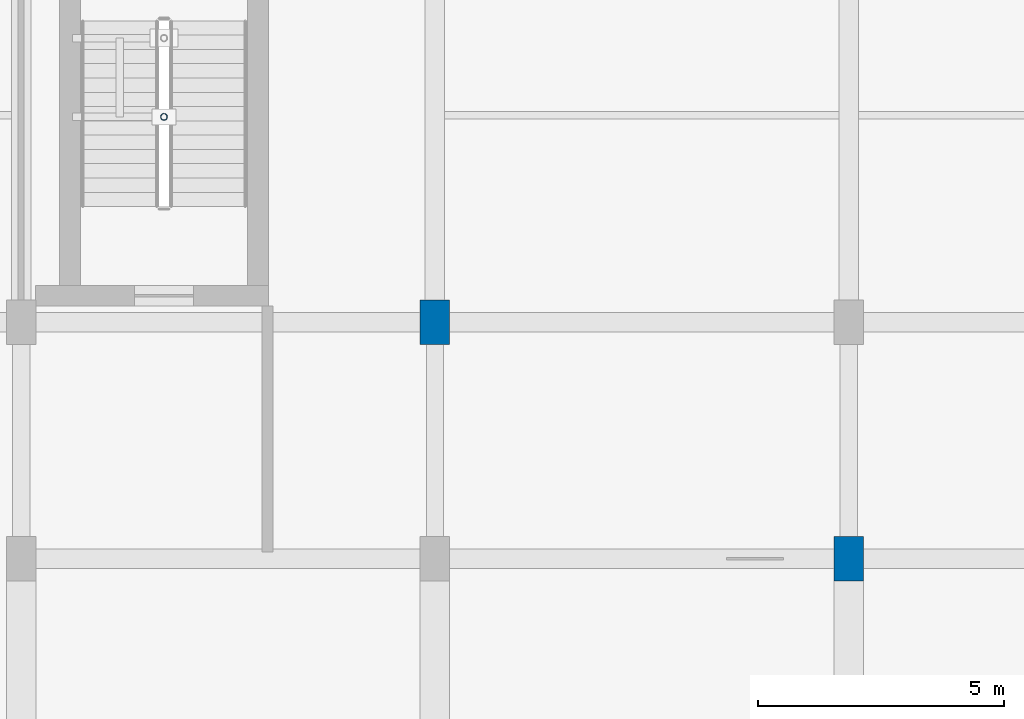
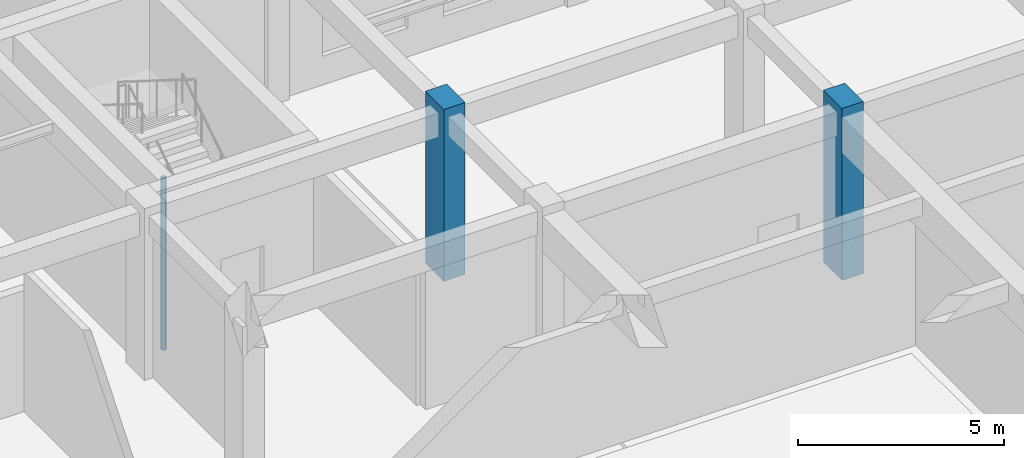
# One storey, part 2 of 77: 3 columns.
"""IFC4 building model written with IfcOpenShell, lengths in metres."""

from ifc_helpers import new_model, si_unit, direction, frame, origin, origin_2d, place, context, subcontext, project, spatial, rectangle, hollow_circle, extrude, material, material_profile, profile_set, type_object, element, save


model = new_model("IFC4")

# Units and contexts
model_context = context("Model", 3, precision=1e-05, world=origin(), true_north=direction((0.0, 1.0)))
body_context = subcontext(model_context, "Body", "Model", "MODEL_VIEW")
ifc_project = project(units=[si_unit("LENGTHUNIT", "METRE"), si_unit("AREAUNIT", "SQUARE_METRE"), si_unit("VOLUMEUNIT", "CUBIC_METRE"), si_unit("PLANEANGLEUNIT", "RADIAN"), si_unit("MASSUNIT", "GRAM", prefix="KILO")], contexts=[model_context])

# Site, building, storey
site_placement = place(None, origin())
site = spatial("IfcSite", under=ifc_project, at=site_placement, CompositionType="ELEMENT")
building_placement = place(site_placement, origin())
building = spatial("IfcBuilding", under=site, at=building_placement, Name="Krzemoval Escarpment Law Courts", CompositionType="ELEMENT")
storey_placement = place(building_placement, frame((0.0, 0.0, 15.300048828125)))
storey = spatial("IfcBuildingStorey", under=building, at=storey_placement, Name="L03", CompositionType="ELEMENT", Elevation=15.300048828125)

# Columns
ifc_material_1 = material(Name="Concrete C50/60", Category="concrete")
ifc_material_profile_1 = material_profile(ifc_material_1, rectangle(XDim=0.60009765625, YDim=0.89990234375, at=origin_2d()), Name="RC 600x900")
ifc_profile_set_1 = profile_set([ifc_material_profile_1], Name="Concrete C50/60")
column_type_1 = type_object("IfcColumnType", Name="COL-RC-600x900", PredefinedType="COLUMN", material=ifc_profile_set_1)
for number, where, z_axis, x_axis, name in (
    (1, (42.0, 27.0, 0.0), (0.0, 0.0, 1.0), (1.0, 0.0, 0.0), "Column FC-L03-1052"),
    (2, (50.39990234375, 22.199951171875, 0.0), (0.0, 0.0, 1.0), (1.0, 0.0, 0.0), "Column FC-L03-1065"),
):
    element("IfcColumn", number, at=place(storey_placement, frame(where, z_axis=z_axis, x_axis=x_axis)), inside=storey, type_object=column_type_1, Name=name, PredefinedType="COLUMN", context=body_context, shape_type="SweptSolid", body=[
        extrude(rectangle(XDim=0.60009765625, YDim=0.89990234375, at=origin_2d()), origin(), (0.0, 0.0, 1.0), 5.099853515625),
    ])
ifc_material_2 = material(Name="Steel S355", Category="steel")
ifc_material_profile_2 = material_profile(ifc_material_2, hollow_circle(Radius=0.06982421875, WallThickness=0.008056640625, at=origin_2d()), Name="CHS 139.7x8")
ifc_profile_set_2 = profile_set([ifc_material_profile_2], Name="Steel S355")
column_type_2 = type_object("IfcColumnType", Name="COL-S355-CHS140", PredefinedType="COLUMN", material=ifc_profile_set_2)
column_placement = place(storey_placement, frame((36.5, 31.169921875, -2.97998046875), z_axis=(0.0, 0.0, 1.0), x_axis=(1.0, 0.0, 0.0)))
element("IfcColumn", 3, at=column_placement, inside=storey, type_object=column_type_2, Name="Stair Well Post SCP-C7-L03-2", PredefinedType="COLUMN", context=body_context, shape_type="SweptSolid", body=[
    extrude(hollow_circle(Radius=0.06982421875, WallThickness=0.008056640625, at=origin_2d()), origin(), (0.0, 0.0, 1.0), 5.099853515625),
])

save(model, "model.ifc")
